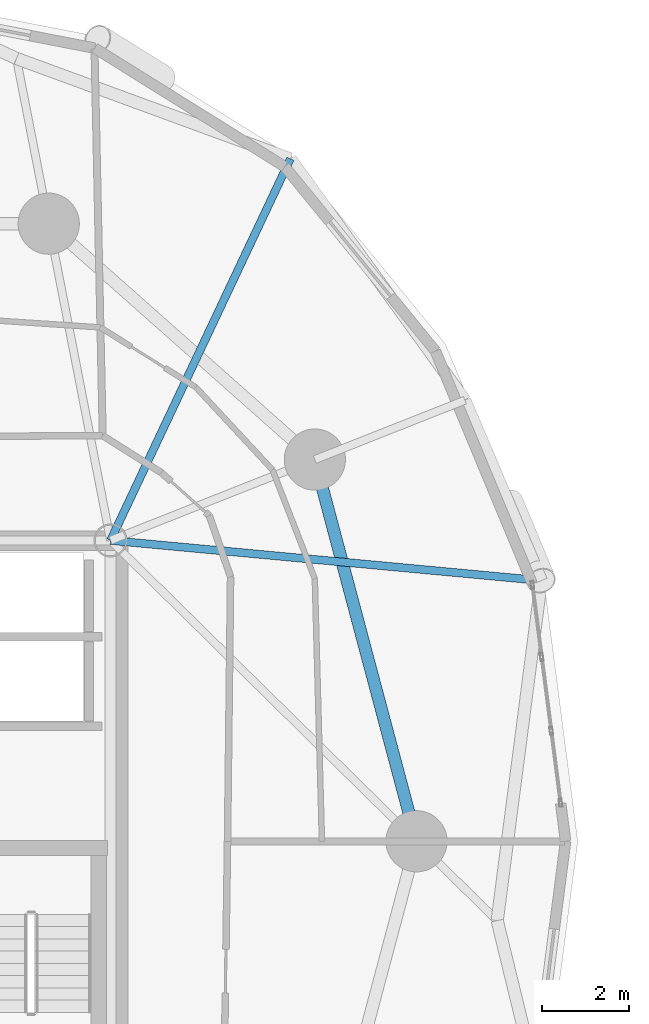
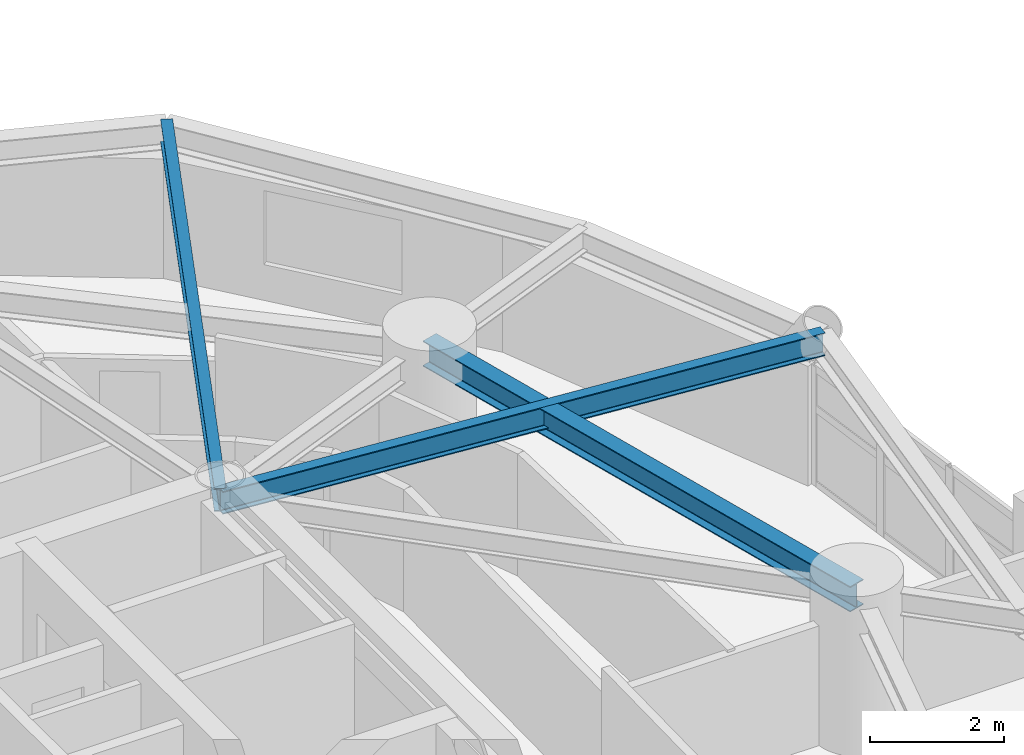
# One storey, part 3 of 17: 3 beams.
"""IFC4 building model written with IfcOpenShell, lengths in metres."""

from ifc_helpers import new_model, si_unit, direction, frame, origin, origin_2d, place, context, subcontext, project, spatial, i_section, extrude, material, material_profile, profile_set, type_object, element, save


model = new_model("IFC4")

# Units and contexts
model_context = context("Model", 3, precision=1e-05, world=origin(), true_north=direction((0.0, 1.0)))
body_context = subcontext(model_context, "Body", "Model", "MODEL_VIEW")
ifc_project = project(units=[si_unit("LENGTHUNIT", "METRE"), si_unit("AREAUNIT", "SQUARE_METRE"), si_unit("VOLUMEUNIT", "CUBIC_METRE"), si_unit("PLANEANGLEUNIT", "RADIAN"), si_unit("MASSUNIT", "GRAM", prefix="KILO")], contexts=[model_context])

# Site, building, storey
site_placement = place(None, origin())
site = spatial("IfcSite", under=ifc_project, at=site_placement, CompositionType="ELEMENT")
building_placement = place(site_placement, origin())
building = spatial("IfcBuilding", under=site, at=building_placement, Name="Cununo Teusaquillo Station Towers", CompositionType="ELEMENT")
storey_placement = place(building_placement, frame((0.0, 0.0, 90.52001953125)))
storey = spatial("IfcBuildingStorey", under=building, at=storey_placement, Name="L28", CompositionType="ELEMENT", Elevation=90.52001953125)

# Beams
ifc_material_1 = material(Name="Steel ASTM A572 Grade 50", Category="steel")
ifc_material_profile_1 = material_profile(ifc_material_1, i_section(OverallWidth=0.180908203125, OverallDepth=0.4169921875, WebThickness=0.010986328125, FlangeThickness=0.018310546875, FilletRadius=0.012939453125, at=origin_2d()), Name="W16X57")
ifc_profile_set_1 = profile_set([ifc_material_profile_1], Name="Steel ASTM A572 Grade 50")
beam_type_1 = type_object("IfcBeamType", Name="BM-JOIST-1", PredefinedType="JOIST", material=ifc_profile_set_1)
beam_1_placement = place(storey_placement, frame((21.675048828125, 31.3798828125, 2.46142578125), z_axis=(0.995678537907, -0.09286683558, 0.0), x_axis=(0.09286683558, 0.995678537907, 0.0)))
element("IfcBeam", 1, at=beam_1_placement, inside=storey, type_object=beam_type_1, Name="L28 Tower A Radial Spandrel Joist V01", PredefinedType="JOIST", context=body_context, shape_type="SweptSolid", body=[
    extrude(i_section(OverallWidth=0.180908203125, OverallDepth=0.4169921875, WebThickness=0.010986328125, FlangeThickness=0.018310546875, FilletRadius=0.012939453125, at=origin_2d()), origin(), (0.0, 0.0, 1.0), 9.895263671875),
])
beam_2_placement = place(storey_placement, frame((21.675048828125, 31.3798828125, 2.46142578125), z_axis=(0.426319838016, 0.904572493344, 0.0), x_axis=(-0.904572493344, 0.426319838016, 0.0)))
element("IfcBeam", 2, at=beam_2_placement, inside=storey, type_object=beam_type_1, Name="L28 Tower A Radial Spandrel Joist V03", PredefinedType="JOIST", context=body_context, shape_type="SweptSolid", body=[
    extrude(i_section(OverallWidth=0.180908203125, OverallDepth=0.4169921875, WebThickness=0.010986328125, FlangeThickness=0.018310546875, FilletRadius=0.012939453125, at=origin_2d()), origin(), (0.0, 0.0, 1.0), 9.646728515625),
])
ifc_material_2 = material(Name="Steel ASTM A572 Grade 50", Category="steel")
ifc_material_profile_2 = material_profile(ifc_material_2, i_section(OverallWidth=0.280029296875, OverallDepth=0.462890625, WebThickness=0.0107421875, FlangeThickness=0.017333984375, FilletRadius=0.013916015625, at=origin_2d()), Name="W18X76")
ifc_profile_set_2 = profile_set([ifc_material_profile_2], Name="Steel ASTM A572 Grade 50")
beam_type_2 = type_object("IfcBeamType", Name="BM-RING-Z2", PredefinedType="SPANDREL", material=ifc_profile_set_2)
beam_3_placement = place(storey_placement, frame((28.672119140625, 24.5, 2.4384765625), z_axis=(-0.257363196347, 0.966314744359, 0.0), x_axis=(-0.966314744359, -0.257363196347, 0.0)))
element("IfcBeam", 3, at=beam_3_placement, inside=storey, type_object=beam_type_2, Name="L28 Tower A Structural Column Ring Girder 01", PredefinedType="SPANDREL", context=body_context, shape_type="SweptSolid", body=[
    extrude(i_section(OverallWidth=0.280029296875, OverallDepth=0.462890625, WebThickness=0.0107421875, FlangeThickness=0.017333984375, FilletRadius=0.013916015625, at=origin_2d()), origin(), (0.0, 0.0, 1.0), 9.03271484375),
])

save(model, "model.ifc")
